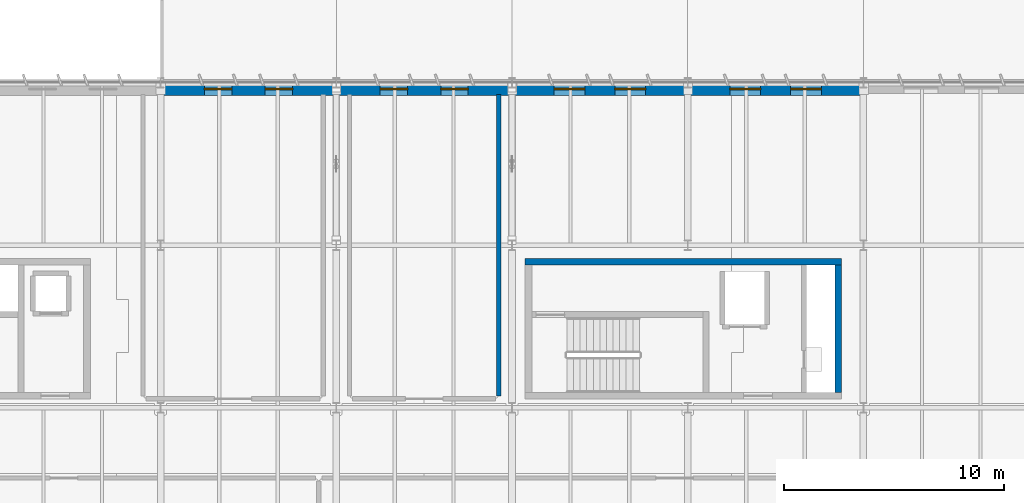
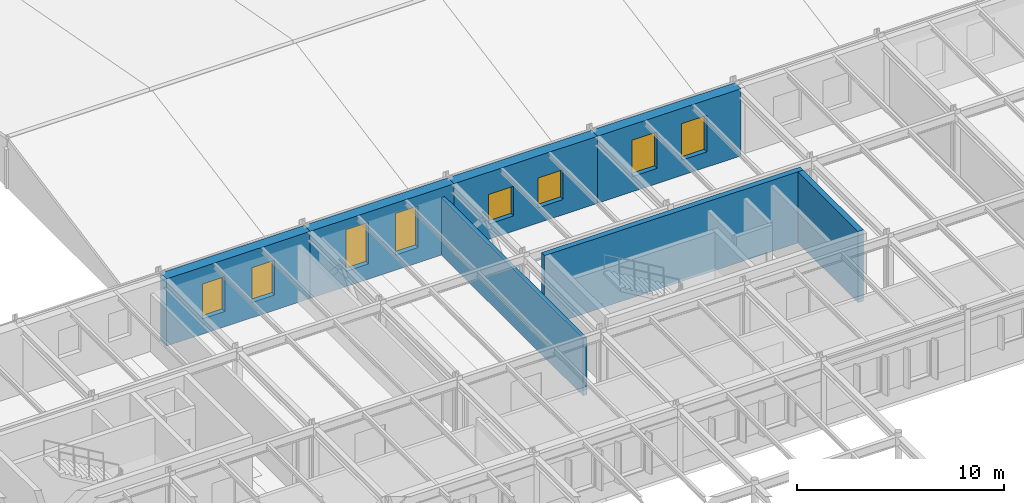
# One storey, part 45 of 63: 8 windows, 7 walls, 8 openings.
"""IFC4 building model written with IfcOpenShell, lengths in metres."""

from ifc_helpers import new_model, si_unit, direction, frame, frame_2d, origin, place, context, subcontext, project, spatial, rectangle, extrude, material, layer, layer_set, type_object, element, fill, save


model = new_model("IFC4")

# Units and contexts
model_context = context("Model", 3, precision=1e-05, world=origin(), true_north=direction((0.0, 1.0)))
body_context = subcontext(model_context, "Body", "Model", "MODEL_VIEW")
ifc_project = project(units=[si_unit("LENGTHUNIT", "METRE"), si_unit("AREAUNIT", "SQUARE_METRE"), si_unit("VOLUMEUNIT", "CUBIC_METRE"), si_unit("PLANEANGLEUNIT", "RADIAN"), si_unit("MASSUNIT", "GRAM", prefix="KILO")], contexts=[model_context])

# Site, building, storey
site_placement = place(None, origin())
site = spatial("IfcSite", under=ifc_project, at=site_placement, CompositionType="ELEMENT")
building_placement = place(site_placement, origin())
building = spatial("IfcBuilding", under=site, at=building_placement, Name="Valkorina Park Police Headquarters", CompositionType="ELEMENT")
storey_placement = place(building_placement, frame((0.0, 0.0, 9.89990234375)))
storey = spatial("IfcBuildingStorey", under=building, at=storey_placement, Name="L03", CompositionType="ELEMENT", Elevation=9.89990234375)

# Walls
ifc_material_1 = material(Name="Concrete C40/50", Category="concrete")
ifc_layer_1 = layer(ifc_material_1, 0.300048828125)
ifc_layer_set_1 = layer_set([ifc_layer_1], Name="Concrete C40/50")
wall_type_1 = type_object("IfcWallType", Name="WL-CORE-300-REI120", PredefinedType="SHEAR", material=ifc_layer_set_1)
wall_1_placement = place(storey_placement, frame((113.39990234375, 73.25, 0.0), z_axis=(0.0, 0.0, 1.0), x_axis=(1.0, 0.0, 0.0)))
element("IfcWall", 1, at=wall_1_placement, inside=storey, type_object=wall_type_1, Name="Core C5 L03 Shear Wall N", PredefinedType="SHEAR", context=body_context, shape_type="SweptSolid", body=[
    extrude(rectangle(XDim=14.400146484375, YDim=0.300048828125, at=frame_2d((7.2001953125, 0.0))), origin(), (0.0, 0.0, 1.0), 4.195068359375),
])
wall_2_placement = place(storey_placement, frame((127.64990234375, 67.300048828125, 0.0), z_axis=(0.0, 0.0, 1.0), x_axis=(0.0, 1.0, 0.0)))
element("IfcWall", 2, at=wall_2_placement, inside=storey, type_object=wall_type_1, Name="Core C5 L03 Shear Wall E", PredefinedType="SHEAR", context=body_context, shape_type="SweptSolid", body=[
    extrude(rectangle(XDim=5.800048828125, YDim=0.300048828125, at=frame_2d((2.89990234375, 0.0))), origin(), (0.0, 0.0, 1.0), 4.195068359375),
])
ifc_material_2 = material(Name="Autoclaved aerated concrete masonry", Category="masonry")
ifc_layer_2 = layer(ifc_material_2, 0.199951171875)
ifc_layer_set_2 = layer_set([ifc_layer_2], Name="Autoclaved aerated concrete masonry")
wall_type_2 = type_object("IfcWallType", Name="WL-CORR-200-EI60", PredefinedType="STANDARD", material=ifc_layer_set_2)
wall_3_placement = place(storey_placement, frame((112.199951171875, 67.139892578125, 0.0), z_axis=(0.0, 0.0, 1.0), x_axis=(0.0, 1.0, 0.0)))
element("IfcWall", 3, at=wall_3_placement, inside=storey, type_object=wall_type_2, Name="L03 Interior Partition 0180 (L03-TEL-04)", PredefinedType="STANDARD", context=body_context, shape_type="SweptSolid", body=[
    extrude(rectangle(XDim=13.72021484375, YDim=0.199951171875, at=frame_2d((6.860107421875, 0.0))), origin(), (0.0, 0.0, 1.0), 3.385009765625),
])

# Wall, openings, windows
ifc_material_3 = material(Name="Concrete C35/45", Category="concrete")
ifc_layer_3 = layer(ifc_material_3, 0.580078125)
ifc_layer_set_3 = layer_set([ifc_layer_3], Name="Concrete C35/45")
wall_type_3 = type_object("IfcWallType", Name="WL-EXT-BOARD-580", PredefinedType="STANDARD", material=ifc_layer_set_3)
wall_4_placement = place(storey_placement, frame((96.800048828125, 81.110107421875, 0.0), z_axis=(0.0, 0.0, 1.0), x_axis=(1.0, 0.0, 0.0)))
wall_4 = element("IfcWall", 4, at=wall_4_placement, inside=storey, type_object=wall_type_3, Name="L03 Architectural Concrete Exterior Wall 0196", PredefinedType="STANDARD", context=body_context, shape_type="SweptSolid", body=[
    extrude(rectangle(XDim=8.0, YDim=0.580078125, at=frame_2d((4.0, 0.0))), origin(), (0.0, 0.0, 1.0), 3.955078125),
])
opening_1_placement = place(wall_4_placement, frame((1.99267578125, 0.0, 0.89990234375)))
opening_1 = element("IfcOpeningElement", 5, at=opening_1_placement, cuts=wall_4, Name="Opening WN-22", PredefinedType="OPENING", context=body_context, shape_type="SweptSolid", body=[
    extrude(rectangle(XDim=1.25, YDim=2.050048828125, at=frame_2d((0.625, 1.02490234375))), frame((0.0, 0.300048828125, 0.0), z_axis=(0.0, -1.0, 0.0), x_axis=(1.0, 0.0, 0.0)), (0.0, 0.0, 1.0), 0.60009765625),
])
opening_2_placement = place(wall_4_placement, frame((4.75732421875, 0.0, 0.89990234375)))
opening_2 = element("IfcOpeningElement", 6, at=opening_2_placement, cuts=wall_4, Name="Opening WN-22", PredefinedType="OPENING", context=body_context, shape_type="SweptSolid", body=[
    extrude(rectangle(XDim=1.25, YDim=2.050048828125, at=frame_2d((0.625, 1.02490234375))), frame((0.0, 0.300048828125, 0.0), z_axis=(0.0, -1.0, 0.0), x_axis=(1.0, 0.0, 0.0)), (0.0, 0.0, 1.0), 0.60009765625),
])
ifc_material_4 = material(Name="Triple low-E insulated glazing", Category="glass")
ifc_layer_4 = layer(ifc_material_4, 0.06005859375)
ifc_layer_set_4 = layer_set([ifc_layer_4], Name="Triple low-E insulated glazing")
window_type_1 = type_object("IfcWindowType", Name="WN-LAB-1250x2050", PartitioningType="SINGLE_PANEL", PredefinedType="WINDOW", material=ifc_layer_set_4)
window_1_placement = place(opening_1_placement, origin())
window_1 = element("IfcWindow", 7, at=window_1_placement, inside=storey, type_object=window_type_1, Name="Window L03-0327", OverallHeight=2.050048828125, OverallWidth=1.25, PartitioningType="SINGLE_PANEL", PredefinedType="WINDOW", context=body_context, shape_type="SweptSolid", body=[
    extrude(rectangle(XDim=1.25, YDim=2.050048828125, at=frame_2d((0.625, 1.02490234375))), frame((0.0, 0.030029296875, 0.0), z_axis=(0.0, -1.0, 0.0), x_axis=(1.0, 0.0, 0.0)), (0.0, 0.0, 1.0), 0.06005859375),
])
fill(opening_1, window_1)
window_2_placement = place(opening_2_placement, origin())
window_2 = element("IfcWindow", 8, at=window_2_placement, inside=storey, type_object=window_type_1, Name="Window L03-0328", OverallHeight=2.050048828125, OverallWidth=1.25, PartitioningType="SINGLE_PANEL", PredefinedType="WINDOW", context=body_context, shape_type="SweptSolid", body=[
    extrude(rectangle(XDim=1.25, YDim=2.050048828125, at=frame_2d((0.625, 1.02490234375))), frame((0.0, 0.030029296875, 0.0), z_axis=(0.0, -1.0, 0.0), x_axis=(1.0, 0.0, 0.0)), (0.0, 0.0, 1.0), 0.06005859375),
])
fill(opening_2, window_2)

wall_5_placement = place(storey_placement, frame((104.800048828125, 81.110107421875, 0.0), z_axis=(0.0, 0.0, 1.0), x_axis=(1.0, 0.0, 0.0)))
wall_5 = element("IfcWall", 9, at=wall_5_placement, inside=storey, type_object=wall_type_3, Name="L03 Architectural Concrete Exterior Wall 0197", PredefinedType="STANDARD", context=body_context, shape_type="SweptSolid", body=[
    extrude(rectangle(XDim=8.0, YDim=0.580078125, at=frame_2d((4.0, 0.0))), origin(), (0.0, 0.0, 1.0), 3.955078125),
])
opening_3_placement = place(wall_5_placement, frame((1.99267578125, 0.0, 0.89990234375)))
opening_3 = element("IfcOpeningElement", 10, at=opening_3_placement, cuts=wall_5, Name="Opening WN-23", PredefinedType="OPENING", context=body_context, shape_type="SweptSolid", body=[
    extrude(rectangle(XDim=1.25, YDim=2.449951171875, at=frame_2d((0.625, 1.22509765625))), frame((0.0, 0.300048828125, 0.0), z_axis=(0.0, -1.0, 0.0), x_axis=(1.0, 0.0, 0.0)), (0.0, 0.0, 1.0), 0.60009765625),
])
opening_4_placement = place(wall_5_placement, frame((4.75732421875, 0.0, 0.89990234375)))
opening_4 = element("IfcOpeningElement", 11, at=opening_4_placement, cuts=wall_5, Name="Opening WN-23", PredefinedType="OPENING", context=body_context, shape_type="SweptSolid", body=[
    extrude(rectangle(XDim=1.25, YDim=2.449951171875, at=frame_2d((0.625, 1.22509765625))), frame((0.0, 0.300048828125, 0.0), z_axis=(0.0, -1.0, 0.0), x_axis=(1.0, 0.0, 0.0)), (0.0, 0.0, 1.0), 0.60009765625),
])
ifc_layer_5 = layer(ifc_material_4, 0.06005859375)
ifc_layer_set_5 = layer_set([ifc_layer_5], Name="Triple low-E insulated glazing")
window_type_2 = type_object("IfcWindowType", Name="WN-LAB-1250x2450", PartitioningType="SINGLE_PANEL", PredefinedType="WINDOW", material=ifc_layer_set_5)
window_3_placement = place(opening_3_placement, origin())
window_3 = element("IfcWindow", 12, at=window_3_placement, inside=storey, type_object=window_type_2, Name="Window L03-0329", OverallHeight=2.449951171875, OverallWidth=1.25, PartitioningType="SINGLE_PANEL", PredefinedType="WINDOW", context=body_context, shape_type="SweptSolid", body=[
    extrude(rectangle(XDim=1.25, YDim=2.449951171875, at=frame_2d((0.625, 1.22509765625))), frame((0.0, 0.030029296875, 0.0), z_axis=(0.0, -1.0, 0.0), x_axis=(1.0, 0.0, 0.0)), (0.0, 0.0, 1.0), 0.06005859375),
])
fill(opening_3, window_3)
window_4_placement = place(opening_4_placement, origin())
window_4 = element("IfcWindow", 13, at=window_4_placement, inside=storey, type_object=window_type_2, Name="Window L03-0330", OverallHeight=2.449951171875, OverallWidth=1.25, PartitioningType="SINGLE_PANEL", PredefinedType="WINDOW", context=body_context, shape_type="SweptSolid", body=[
    extrude(rectangle(XDim=1.25, YDim=2.449951171875, at=frame_2d((0.625, 1.22509765625))), frame((0.0, 0.030029296875, 0.0), z_axis=(0.0, -1.0, 0.0), x_axis=(1.0, 0.0, 0.0)), (0.0, 0.0, 1.0), 0.06005859375),
])
fill(opening_4, window_4)

wall_6_placement = place(storey_placement, frame((112.800048828125, 81.110107421875, 0.0), z_axis=(0.0, 0.0, 1.0), x_axis=(1.0, 0.0, 0.0)))
wall_6 = element("IfcWall", 14, at=wall_6_placement, inside=storey, type_object=wall_type_3, Name="L03 Architectural Concrete Exterior Wall 0198", PredefinedType="STANDARD", context=body_context, shape_type="SweptSolid", body=[
    extrude(rectangle(XDim=8.0, YDim=0.580078125, at=frame_2d((4.0, 0.0))), origin(), (0.0, 0.0, 1.0), 3.955078125),
])
opening_5_placement = place(wall_6_placement, frame((1.91748046875, 0.0, 0.89990234375)))
opening_5 = element("IfcOpeningElement", 15, at=opening_5_placement, cuts=wall_6, Name="Opening WN-24", PredefinedType="OPENING", context=body_context, shape_type="SweptSolid", body=[
    extrude(rectangle(XDim=1.39990234375, YDim=1.75, at=frame_2d((0.699951171875, 0.875))), frame((0.0, 0.300048828125, 0.0), z_axis=(0.0, -1.0, 0.0), x_axis=(1.0, 0.0, 0.0)), (0.0, 0.0, 1.0), 0.60009765625),
])
opening_6_placement = place(wall_6_placement, frame((4.682373046875, 0.0, 0.89990234375)))
opening_6 = element("IfcOpeningElement", 16, at=opening_6_placement, cuts=wall_6, Name="Opening WN-24", PredefinedType="OPENING", context=body_context, shape_type="SweptSolid", body=[
    extrude(rectangle(XDim=1.39990234375, YDim=1.75, at=frame_2d((0.699951171875, 0.875))), frame((0.0, 0.300048828125, 0.0), z_axis=(0.0, -1.0, 0.0), x_axis=(1.0, 0.0, 0.0)), (0.0, 0.0, 1.0), 0.60009765625),
])
ifc_layer_6 = layer(ifc_material_4, 0.06005859375)
ifc_layer_set_6 = layer_set([ifc_layer_6], Name="Triple low-E insulated glazing")
window_type_3 = type_object("IfcWindowType", Name="WN-LAB-1400x1750", PartitioningType="SINGLE_PANEL", PredefinedType="WINDOW", material=ifc_layer_set_6)
window_5_placement = place(opening_5_placement, origin())
window_5 = element("IfcWindow", 17, at=window_5_placement, inside=storey, type_object=window_type_3, Name="Window L03-0331", OverallHeight=1.75, OverallWidth=1.39990234375, PartitioningType="SINGLE_PANEL", PredefinedType="WINDOW", context=body_context, shape_type="SweptSolid", body=[
    extrude(rectangle(XDim=1.39990234375, YDim=1.75, at=frame_2d((0.699951171875, 0.875))), frame((0.0, 0.030029296875, 0.0), z_axis=(0.0, -1.0, 0.0), x_axis=(1.0, 0.0, 0.0)), (0.0, 0.0, 1.0), 0.06005859375),
])
fill(opening_5, window_5)
window_6_placement = place(opening_6_placement, origin())
window_6 = element("IfcWindow", 18, at=window_6_placement, inside=storey, type_object=window_type_3, Name="Window L03-0332", OverallHeight=1.75, OverallWidth=1.39990234375, PartitioningType="SINGLE_PANEL", PredefinedType="WINDOW", context=body_context, shape_type="SweptSolid", body=[
    extrude(rectangle(XDim=1.39990234375, YDim=1.75, at=frame_2d((0.699951171875, 0.875))), frame((0.0, 0.030029296875, 0.0), z_axis=(0.0, -1.0, 0.0), x_axis=(1.0, 0.0, 0.0)), (0.0, 0.0, 1.0), 0.06005859375),
])
fill(opening_6, window_6)

wall_7_placement = place(storey_placement, frame((120.800048828125, 81.110107421875, 0.0), z_axis=(0.0, 0.0, 1.0), x_axis=(1.0, 0.0, 0.0)))
wall_7 = element("IfcWall", 19, at=wall_7_placement, inside=storey, type_object=wall_type_3, Name="L03 Architectural Concrete Exterior Wall 0199", PredefinedType="STANDARD", context=body_context, shape_type="SweptSolid", body=[
    extrude(rectangle(XDim=8.0, YDim=0.580078125, at=frame_2d((4.0, 0.0))), origin(), (0.0, 0.0, 1.0), 3.955078125),
])
opening_7_placement = place(wall_7_placement, frame((1.91748046875, 0.0, 0.89990234375)))
opening_7 = element("IfcOpeningElement", 20, at=opening_7_placement, cuts=wall_7, Name="Opening WN-25", PredefinedType="OPENING", context=body_context, shape_type="SweptSolid", body=[
    extrude(rectangle(XDim=1.39990234375, YDim=2.14990234375, at=frame_2d((0.699951171875, 1.074951171875))), frame((0.0, 0.300048828125, 0.0), z_axis=(0.0, -1.0, 0.0), x_axis=(1.0, 0.0, 0.0)), (0.0, 0.0, 1.0), 0.60009765625),
])
opening_8_placement = place(wall_7_placement, frame((4.682373046875, 0.0, 0.89990234375)))
opening_8 = element("IfcOpeningElement", 21, at=opening_8_placement, cuts=wall_7, Name="Opening WN-25", PredefinedType="OPENING", context=body_context, shape_type="SweptSolid", body=[
    extrude(rectangle(XDim=1.39990234375, YDim=2.14990234375, at=frame_2d((0.699951171875, 1.074951171875))), frame((0.0, 0.300048828125, 0.0), z_axis=(0.0, -1.0, 0.0), x_axis=(1.0, 0.0, 0.0)), (0.0, 0.0, 1.0), 0.60009765625),
])
ifc_layer_7 = layer(ifc_material_4, 0.06005859375)
ifc_layer_set_7 = layer_set([ifc_layer_7], Name="Triple low-E insulated glazing")
window_type_4 = type_object("IfcWindowType", Name="WN-LAB-1400x2150", PartitioningType="SINGLE_PANEL", PredefinedType="WINDOW", material=ifc_layer_set_7)
window_7_placement = place(opening_7_placement, origin())
window_7 = element("IfcWindow", 22, at=window_7_placement, inside=storey, type_object=window_type_4, Name="Window L03-0333", OverallHeight=2.14990234375, OverallWidth=1.39990234375, PartitioningType="SINGLE_PANEL", PredefinedType="WINDOW", context=body_context, shape_type="SweptSolid", body=[
    extrude(rectangle(XDim=1.39990234375, YDim=2.14990234375, at=frame_2d((0.699951171875, 1.074951171875))), frame((0.0, 0.030029296875, 0.0), z_axis=(0.0, -1.0, 0.0), x_axis=(1.0, 0.0, 0.0)), (0.0, 0.0, 1.0), 0.06005859375),
])
fill(opening_7, window_7)
window_8_placement = place(opening_8_placement, origin())
window_8 = element("IfcWindow", 23, at=window_8_placement, inside=storey, type_object=window_type_4, Name="Window L03-0334", OverallHeight=2.14990234375, OverallWidth=1.39990234375, PartitioningType="SINGLE_PANEL", PredefinedType="WINDOW", context=body_context, shape_type="SweptSolid", body=[
    extrude(rectangle(XDim=1.39990234375, YDim=2.14990234375, at=frame_2d((0.699951171875, 1.074951171875))), frame((0.0, 0.030029296875, 0.0), z_axis=(0.0, -1.0, 0.0), x_axis=(1.0, 0.0, 0.0)), (0.0, 0.0, 1.0), 0.06005859375),
])
fill(opening_8, window_8)

save(model, "model.ifc")
